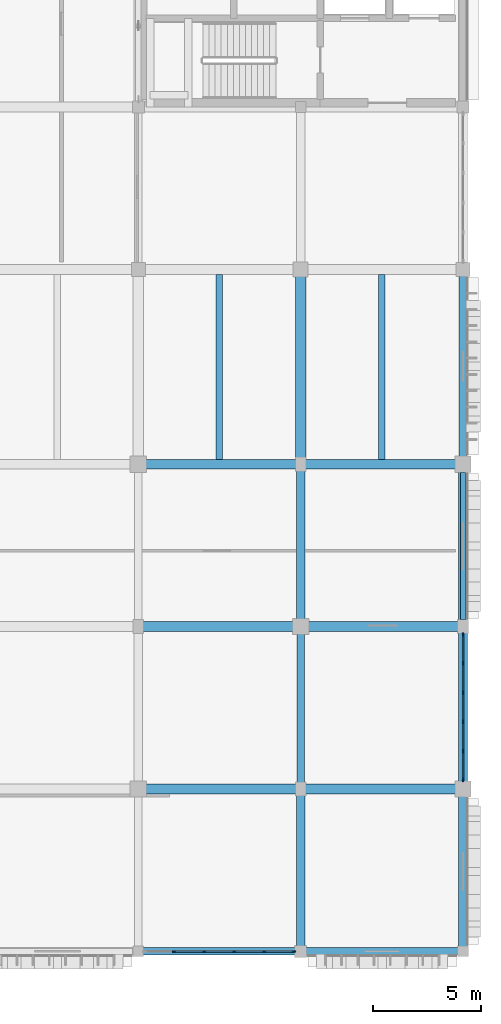
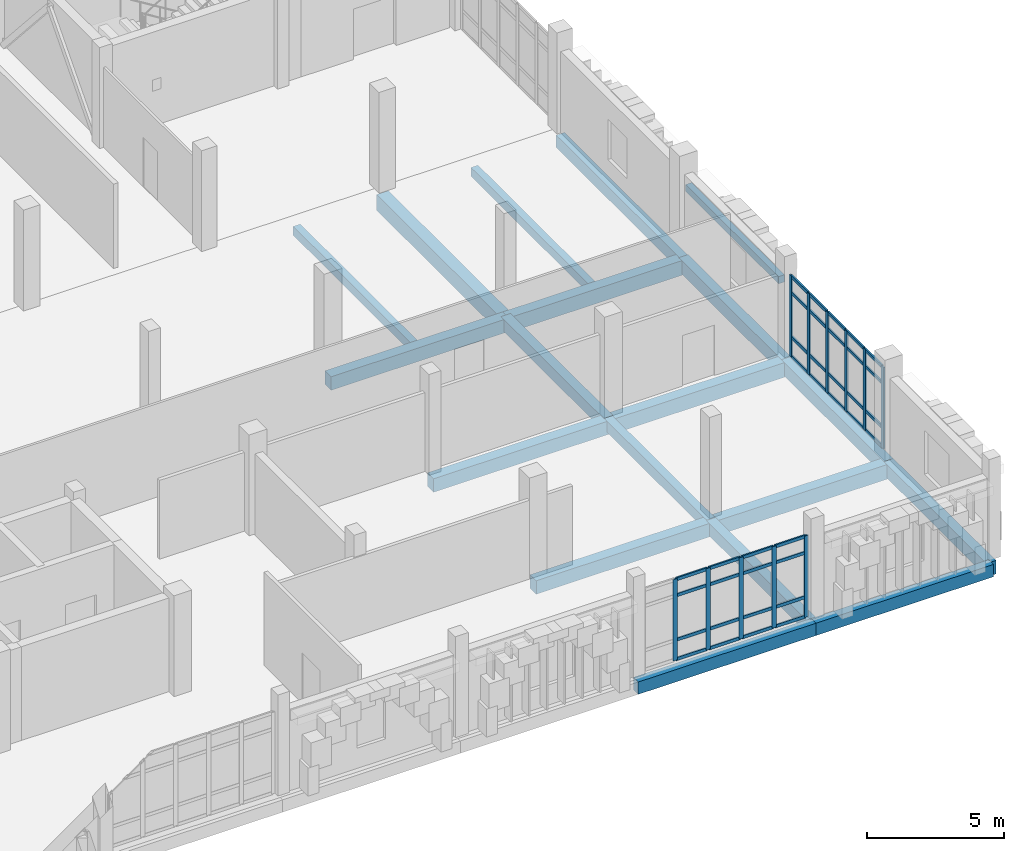
# One storey, part 59 of 128: 47 members, 19 beams, 2 elements without a shape of their own.
"""IFC4 building model written with IfcOpenShell, lengths in metres."""

import ifcopenshell
import ifcopenshell.guid

model = None  # the IFC model being written
_history = None  # IfcOwnerHistory: only IFC2X3 demands one
_inside = {}  # id of a spatial element -> (the spatial element, [elements in it])
_under = {}  # id of a project, library or spatial element -> (it, [spatial elements below it])
_declared = {}  # id of a project -> (the project, [libraries it declares])
_typed = {}  # id of a type object -> (the type object, [elements of that type])
_made_of = {}  # id of a material, layer set ... -> (it, [elements and type objects made of it])


def new_model(schema):
    """Start an empty IFC model of exactly this schema.

    Asked for "IFC4X3", IfcOpenShell would pick the latest addendum, in which some entities
    have other attributes; the version numbers below select the first issue.
    IFC2X3 requires an IfcOwnerHistory on every rooted entity: one is made here for all.
    """
    global model, _history
    if schema == "IFC4X3":
        model = ifcopenshell.file(schema_version=(4, 3, 0, 0))
    else:
        model = ifcopenshell.file(schema=schema)
    _inside.clear()
    _under.clear()
    _declared.clear()
    _typed.clear()
    _made_of.clear()
    _history = None
    if model.schema == "IFC2X3":
        org = make("IfcOrganization", Name="unknown")
        user = make(
            "IfcPersonAndOrganization",
            ThePerson=make("IfcPerson", FamilyName="unknown"),
            TheOrganization=org,
        )
        app = make(
            "IfcApplication",
            ApplicationDeveloper=org,
            Version="unknown",
            ApplicationFullName="unknown",
            ApplicationIdentifier="unknown",
        )
        _history = make(
            "IfcOwnerHistory",
            OwningUser=user,
            OwningApplication=app,
            ChangeAction="ADDED",
            CreationDate=0,
        )
    return model


def make(cls, **values):
    """One entity of the class cls with the attributes given. An attribute that is None is left unset."""
    return model.create_entity(
        cls, **{name: value for name, value in values.items() if value is not None}
    )


def rooted(cls, **values):
    """An entity with a GlobalId (a new one), such as an element, a storey or a relation."""
    return make(cls, GlobalId=ifcopenshell.guid.new(), OwnerHistory=_history, **values)


def si_unit(unit_type, name, prefix=None):
    """IfcSIUnit, for example si_unit("LENGTHUNIT", "METRE", prefix="MILLI")."""
    return make("IfcSIUnit", UnitType=unit_type, Prefix=prefix, Name=name)


def assignment(units):
    """IfcUnitAssignment: the units of a project."""
    return None if units is None else make("IfcUnitAssignment", Units=units)


def point(xyz):
    """IfcCartesianPoint."""
    return None if xyz is None else make("IfcCartesianPoint", Coordinates=xyz)


def direction(xyz):
    """IfcDirection."""
    return None if xyz is None else make("IfcDirection", DirectionRatios=xyz)


def frame(location, z_axis=None, x_axis=None):
    """IfcAxis2Placement3D, a coordinate frame: its origin and axes. An axis left out is left unset."""
    return make(
        "IfcAxis2Placement3D",
        Location=point(location),
        Axis=direction(z_axis),
        RefDirection=direction(x_axis),
    )


def frame_2d(location, x_axis=None):
    """IfcAxis2Placement2D, a coordinate frame in the plane: its origin and x axis."""
    return make(
        "IfcAxis2Placement2D", Location=point(location), RefDirection=direction(x_axis)
    )


def origin():
    """The frame at (0, 0, 0) with its axes left unset."""
    return frame((0.0, 0.0, 0.0))


def origin_2d():
    """The frame at (0, 0) in the plane with its x axis left unset."""
    return frame_2d((0.0, 0.0))


def place(relative_to, where):
    """IfcLocalPlacement: puts the frame where relative to a parent placement (None: the world)."""
    return make(
        "IfcLocalPlacement", PlacementRelTo=relative_to, RelativePlacement=where
    )


def context(
    kind, dimensions, precision=None, world=None, true_north=None, identifier=None
):
    """IfcGeometricRepresentationContext, for example the 3D "Model" context."""
    return make(
        "IfcGeometricRepresentationContext",
        ContextIdentifier=identifier,
        ContextType=kind,
        CoordinateSpaceDimension=dimensions,
        Precision=precision,
        WorldCoordinateSystem=world,
        TrueNorth=true_north,
    )


def subcontext(parent, identifier, kind, view, scale=None):
    """IfcGeometricRepresentationSubContext, for example "Body" below "Model"."""
    return make(
        "IfcGeometricRepresentationSubContext",
        ContextIdentifier=identifier,
        ContextType=kind,
        ParentContext=parent,
        TargetScale=scale,
        TargetView=view,
    )


def project(units=None, contexts=None):
    """IfcProject with its units and contexts."""
    return rooted(
        "IfcProject",
        Name="project",
        RepresentationContexts=contexts,
        UnitsInContext=assignment(units),
    )


def spatial(cls, under=None, at=None, **own):
    """A site, building, storey or space (cls), placed at a placement, below another one or the project."""
    s = rooted(cls, ObjectPlacement=at, **own)
    if under is not None:
        _under.setdefault(under.id(), (under, []))[1].append(s)
    return s


def profile(cls, at=None, kind="AREA", **sizes):
    """A parametric profile (cls). Its sizes go by their IFC names, for example OverallWidth=200.0."""
    return make(cls, ProfileType=kind, Position=at, **sizes)


def rectangle(**sizes):
    """IfcRectangleProfileDef."""
    return profile("IfcRectangleProfileDef", **sizes)


def extrude(swept, where, along, depth):
    """IfcExtrudedAreaSolid: the profile swept, set in the frame where, extruded along a direction by depth."""
    return make(
        "IfcExtrudedAreaSolid",
        SweptArea=swept,
        Position=where,
        ExtrudedDirection=direction(along),
        Depth=depth,
    )


def shape(context_of_items, identifier, shape_type, items):
    """IfcShapeRepresentation: the items that make up one representation, for example the "Body"."""
    return make(
        "IfcShapeRepresentation",
        ContextOfItems=context_of_items,
        RepresentationIdentifier=identifier,
        RepresentationType=shape_type,
        Items=items,
    )


def material(Name=None, Category=None):
    """IfcMaterial."""
    return make("IfcMaterial", Name=Name, Category=Category)


def layer(
    of_material, thickness, ventilated=None, Name=None, Category=None, Priority=None
):
    """IfcMaterialLayer: one layer of a wall or slab, of a material (None: an air gap)."""
    return make(
        "IfcMaterialLayer",
        Material=of_material,
        LayerThickness=thickness,
        IsVentilated=ventilated,
        Name=Name,
        Category=Category,
        Priority=Priority,
    )


def layer_set(layers, Name=None):
    """IfcMaterialLayerSet."""
    return make("IfcMaterialLayerSet", MaterialLayers=layers, LayerSetName=Name)


def material_profile(
    of_material, cross_section, Name=None, Category=None, Priority=None
):
    """IfcMaterialProfile: a cross section and its material."""
    return make(
        "IfcMaterialProfile",
        Name=Name,
        Material=of_material,
        Profile=cross_section,
        Priority=Priority,
        Category=Category,
    )


def profile_set(profiles, Name=None, composite=None):
    """IfcMaterialProfileSet."""
    return make(
        "IfcMaterialProfileSet",
        Name=Name,
        MaterialProfiles=profiles,
        CompositeProfile=composite,
    )


def made_of(thing, what):
    """Note that an element or type object is made of a material, layer set ...; save() writes the relation."""
    if what is not None:
        _made_of.setdefault(what.id(), (what, []))[1].append(thing)
    return thing


def type_object(cls, material=None, **own):
    """A type object (cls), such as IfcWallType, which elements share."""
    return made_of(rooted(cls, **own), material)


def element(
    cls,
    number,
    at=None,
    inside=None,
    cuts=None,
    type_object=None,
    material=None,
    context=None,
    identifier="Body",
    shape_type=None,
    held_by="IfcProductDefinitionShape",
    body=None,
    shapes=None,
    **own,
):
    """One element of the class cls, such as IfcWall. Its Tag is "e" and its number.

    at: its placement. inside: the storey or other place that contains it. cuts: it is an
    opening in that element (IfcRelVoidsElement). A single representation is given by context,
    identifier, shape_type and body (its items); several are given by shapes. held_by: the class
    of the entity that holds the representations. save() writes the other relations.
    """
    e = rooted(cls, Tag="e%d" % number, ObjectPlacement=at, **own)
    if body is not None:
        shapes = [shape(context, identifier, shape_type, body)]
    if shapes is not None:
        e.Representation = make(held_by, Representations=shapes)
    if inside is not None:
        _inside.setdefault(inside.id(), (inside, []))[1].append(e)
    if cuts is not None:
        rooted(
            "IfcRelVoidsElement", RelatingBuildingElement=cuts, RelatedOpeningElement=e
        )
    if type_object is not None:
        _typed.setdefault(type_object.id(), (type_object, []))[1].append(e)
    return made_of(e, material)


def aggregate(whole, parts):
    """IfcRelAggregates: a whole, such as a stair, and the parts it consists of."""
    return rooted("IfcRelAggregates", RelatingObject=whole, RelatedObjects=parts)


def save(model, path):
    """Write the relations noted so far, then the file.

    IfcRelAggregates (storeys below a building ...), IfcRelContainedInSpatialStructure (elements
    in a storey), IfcRelDefinesByType, IfcRelAssociatesMaterial and IfcRelDeclares: one each for
    every whole, place, type object, material and project.
    """
    for whole, parts in _under.values():
        aggregate(whole, parts)
    for where, things in _inside.values():
        rooted(
            "IfcRelContainedInSpatialStructure",
            RelatedElements=things,
            RelatingStructure=where,
        )
    for kind, things in _typed.values():
        rooted("IfcRelDefinesByType", RelatedObjects=things, RelatingType=kind)
    for what, things in _made_of.values():
        rooted("IfcRelAssociatesMaterial", RelatedObjects=things, RelatingMaterial=what)
    for by, libraries in _declared.values():
        rooted("IfcRelDeclares", RelatingContext=by, RelatedDefinitions=libraries)
    model.write(path)


model = new_model("IFC4")

# Units and contexts
model_context = context("Model", 3, precision=1e-05, world=origin(), true_north=direction((0.0, 1.0)))
body_context = subcontext(model_context, "Body", "Model", "MODEL_VIEW")
ifc_project = project(units=[si_unit("LENGTHUNIT", "METRE"), si_unit("AREAUNIT", "SQUARE_METRE"), si_unit("VOLUMEUNIT", "CUBIC_METRE"), si_unit("PLANEANGLEUNIT", "RADIAN"), si_unit("MASSUNIT", "GRAM", prefix="KILO")], contexts=[model_context])

# Site, building, storey
site_placement = place(None, origin())
site = spatial("IfcSite", under=ifc_project, at=site_placement, CompositionType="ELEMENT")
building_placement = place(site_placement, origin())
building = spatial("IfcBuilding", under=site, at=building_placement, Name="Dalvernix Boulevard General Hospital", CompositionType="ELEMENT")
storey_placement = place(building_placement, frame((0.0, 0.0, 4.800048828125)))
storey = spatial("IfcBuildingStorey", under=building, at=storey_placement, Name="L01", CompositionType="ELEMENT", Elevation=4.800048828125)

# Beams
ifc_material_1 = material(Name="Concrete C35/45", Category="concrete")
ifc_material_profile_1 = material_profile(ifc_material_1, rectangle(XDim=0.5, YDim=0.699951171875, at=origin_2d()), Name="RCB 500x700")
ifc_profile_set_1 = profile_set([ifc_material_profile_1], Name="Concrete C35/45")
beam_type_1 = type_object("IfcBeamType", Name="BM-B-01-I", PredefinedType="BEAM", material=ifc_profile_set_1)
beam_1_placement = place(storey_placement, frame((165.0, 22.5, -0.650146484375), z_axis=(0.0, 1.0, 0.0), x_axis=(-1.0, 0.0, 0.0)))
element("IfcBeam", 1, at=beam_1_placement, inside=storey, type_object=beam_type_1, Name="L01 N-S girder 23:D-E", PredefinedType="BEAM", context=body_context, shape_type="SweptSolid", body=[
    extrude(rectangle(XDim=0.5, YDim=0.699951171875, at=origin_2d()), origin(), (0.0, 0.0, 1.0), 9.0),
])
ifc_material_profile_2 = material_profile(ifc_material_1, rectangle(XDim=0.449951171875, YDim=0.64990234375, at=origin_2d()), Name="RCB 450x650")
ifc_profile_set_2 = profile_set([ifc_material_profile_2], Name="Concrete C35/45")
beam_type_2 = type_object("IfcBeamType", Name="BM-B-03-I", PredefinedType="BEAM", material=ifc_profile_set_2)
for number, where, z_axis, x_axis, name in (
    (2, (165.0, 7.5, -0.625), (1.0, 0.0, 0.0), (0.0, 1.0, 0.0), "L01 E-W girder B:23-24"),
    (3, (165.0, 15.0, -0.625), (1.0, 0.0, 0.0), (0.0, 1.0, 0.0), "L01 E-W girder C:23-24"),
    (4, (165.0, 22.5, -0.625), (1.0, 0.0, 0.0), (0.0, 1.0, 0.0), "L01 E-W girder D:23-24"),
):
    element("IfcBeam", number, at=place(storey_placement, frame(where, z_axis=z_axis, x_axis=x_axis)), inside=storey, type_object=beam_type_2, Name=name, PredefinedType="BEAM", context=body_context, shape_type="SweptSolid", body=[
        extrude(rectangle(XDim=0.449951171875, YDim=0.64990234375, at=origin_2d()), origin(), (0.0, 0.0, 1.0), 7.5),
    ])
ifc_material_profile_3 = material_profile(ifc_material_1, rectangle(XDim=0.449951171875, YDim=0.60009765625, at=origin_2d()), Name="RCB 450x600")
ifc_profile_set_3 = profile_set([ifc_material_profile_3], Name="Concrete C35/45")
beam_type_3 = type_object("IfcBeamType", Name="BM-B-04-I", PredefinedType="BEAM", material=ifc_profile_set_3)
for number, where, z_axis, x_axis, name in (
    (5, (157.5, 7.5, -0.60009765625), (1.0, 0.0, 0.0), (0.0, 1.0, 0.0), "L01 E-W girder B:22-23"),
    (6, (157.5, 15.0, -0.60009765625), (1.0, 0.0, 0.0), (0.0, 1.0, 0.0), "L01 E-W girder C:22-23"),
    (7, (157.5, 22.5, -0.60009765625), (1.0, 0.0, 0.0), (0.0, 1.0, 0.0), "L01 E-W girder D:22-23"),
):
    element("IfcBeam", number, at=place(storey_placement, frame(where, z_axis=z_axis, x_axis=x_axis)), inside=storey, type_object=beam_type_3, Name=name, PredefinedType="BEAM", context=body_context, shape_type="SweptSolid", body=[
        extrude(rectangle(XDim=0.449951171875, YDim=0.60009765625, at=origin_2d()), origin(), (0.0, 0.0, 1.0), 7.5),
    ])
ifc_material_profile_4 = material_profile(ifc_material_1, rectangle(XDim=0.39990234375, YDim=0.550048828125, at=origin_2d()), Name="RCB 400x550")
ifc_profile_set_4 = profile_set([ifc_material_profile_4], Name="Concrete C35/45")
beam_type_4 = type_object("IfcBeamType", Name="BM-B-06-I", PredefinedType="BEAM", material=ifc_profile_set_4)
for number, where, z_axis, x_axis, name in (
    (8, (165.0, 0.0, -0.574951171875), (0.0, 1.0, 0.0), (-1.0, 0.0, 0.0), "L01 N-S girder 23:A-B"),
    (9, (165.0, 15.0, -0.574951171875), (0.0, 1.0, 0.0), (-1.0, 0.0, 0.0), "L01 N-S girder 23:C-D"),
):
    element("IfcBeam", number, at=place(storey_placement, frame(where, z_axis=z_axis, x_axis=x_axis)), inside=storey, type_object=beam_type_4, Name=name, PredefinedType="BEAM", context=body_context, shape_type="SweptSolid", body=[
        extrude(rectangle(XDim=0.39990234375, YDim=0.550048828125, at=origin_2d()), origin(), (0.0, 0.0, 1.0), 7.5),
    ])
ifc_material_profile_5 = material_profile(ifc_material_1, rectangle(XDim=0.35009765625, YDim=0.5, at=origin_2d()), Name="RCB 350x500")
ifc_profile_set_5 = profile_set([ifc_material_profile_5], Name="Concrete C35/45")
beam_type_5 = type_object("IfcBeamType", Name="BM-B-08-I", PredefinedType="BEAM", material=ifc_profile_set_5)
beam_2_placement = place(storey_placement, frame((165.0, 7.5, -0.550048828125), z_axis=(0.0, 1.0, 0.0), x_axis=(-1.0, 0.0, 0.0)))
element("IfcBeam", 10, at=beam_2_placement, inside=storey, type_object=beam_type_5, Name="L01 N-S girder 23:B-C", PredefinedType="BEAM", context=body_context, shape_type="SweptSolid", body=[
    extrude(rectangle(XDim=0.35009765625, YDim=0.5, at=origin_2d()), origin(), (0.0, 0.0, 1.0), 7.5),
])
ifc_material_profile_6 = material_profile(ifc_material_1, rectangle(XDim=0.300048828125, YDim=0.39990234375, at=origin_2d()), Name="RCB 300x400")
ifc_profile_set_6 = profile_set([ifc_material_profile_6], Name="Concrete C35/45")
beam_type_6 = type_object("IfcBeamType", Name="BM-JB-01", PredefinedType="JOIST", material=ifc_profile_set_6)
for number, where, z_axis, x_axis, name in (
    (11, (161.25, 22.72509765625, -0.5), (0.0, 1.0, 0.0), (-1.0, 0.0, 0.0), "L01 secondary floor beam 22-D"),
    (12, (168.75, 22.72509765625, -0.5), (0.0, 1.0, 0.0), (-1.0, 0.0, 0.0), "L01 secondary floor beam 23-D"),
):
    element("IfcBeam", number, at=place(storey_placement, frame(where, z_axis=z_axis, x_axis=x_axis)), inside=storey, type_object=beam_type_6, Name=name, PredefinedType="JOIST", context=body_context, shape_type="SweptSolid", body=[
        extrude(rectangle(XDim=0.300048828125, YDim=0.39990234375, at=origin_2d()), origin(), (0.0, 0.0, 1.0), 8.5498046875),
    ])
ifc_material_2 = material(Name="Precast concrete C40/50", Category="concrete")
ifc_material_profile_7 = material_profile(ifc_material_2, rectangle(XDim=0.25, YDim=0.320068359375, at=origin_2d()), Name="RCL 250x320")
ifc_profile_set_7 = profile_set([ifc_material_profile_7], Name="Precast concrete C40/50")
beam_type_7 = type_object("IfcBeamType", Name="BM-LB-01", PredefinedType="LINTEL", material=ifc_profile_set_7)
beam_3_placement = place(storey_placement, frame((172.5, 22.114990234375, 3.010009765625), z_axis=(0.0, -1.0, 0.0), x_axis=(1.0, 0.0, 0.0)))
element("IfcBeam", 13, at=beam_3_placement, inside=storey, type_object=beam_type_7, Name="L01 precast window lintel E 23-2", PredefinedType="LINTEL", context=body_context, shape_type="SweptSolid", body=[
    extrude(rectangle(XDim=0.25, YDim=0.320068359375, at=origin_2d()), origin(), (0.0, 0.0, 1.0), 6.780029296875),
])
ifc_material_profile_8 = material_profile(ifc_material_1, rectangle(XDim=0.35009765625, YDim=0.550048828125, at=origin_2d()), Name="RCB 350x550")
ifc_profile_set_8 = profile_set([ifc_material_profile_8], Name="Concrete C35/45")
beam_type_8 = type_object("IfcBeamType", Name="BM-SB-01-E", PredefinedType="SPANDREL", material=ifc_profile_set_8)
for number, where, z_axis, x_axis, name in (
    (14, (157.5, 0.0, -0.574951171875), (1.0, 0.0, 0.0), (0.0, 1.0, 0.0), "L01 E-W girder A:22-23"),
    (15, (165.0, 0.0, -0.574951171875), (1.0, 0.0, 0.0), (0.0, 1.0, 0.0), "L01 E-W girder A:23-24"),
):
    element("IfcBeam", number, at=place(storey_placement, frame(where, z_axis=z_axis, x_axis=x_axis)), inside=storey, type_object=beam_type_8, Name=name, PredefinedType="SPANDREL", context=body_context, shape_type="SweptSolid", body=[
        extrude(rectangle(XDim=0.35009765625, YDim=0.550048828125, at=origin_2d()), origin(), (0.0, 0.0, 1.0), 7.5),
    ])
beam_4_placement = place(storey_placement, frame((172.5, 22.5, -0.574951171875), z_axis=(0.0, 1.0, 0.0), x_axis=(-1.0, 0.0, 0.0)))
element("IfcBeam", 16, at=beam_4_placement, inside=storey, type_object=beam_type_8, Name="L01 N-S girder 24:D-E", PredefinedType="SPANDREL", context=body_context, shape_type="SweptSolid", body=[
    extrude(rectangle(XDim=0.35009765625, YDim=0.550048828125, at=origin_2d()), origin(), (0.0, 0.0, 1.0), 9.0),
])
ifc_material_profile_9 = material_profile(ifc_material_1, rectangle(XDim=0.39990234375, YDim=0.60009765625, at=origin_2d()), Name="RCB 400x600")
ifc_profile_set_9 = profile_set([ifc_material_profile_9], Name="Concrete C35/45")
beam_type_9 = type_object("IfcBeamType", Name="BM-SB-02-E", PredefinedType="SPANDREL", material=ifc_profile_set_9)
for number, where, z_axis, x_axis, name in (
    (17, (172.5, 0.0, -0.60009765625), (0.0, 1.0, 0.0), (-1.0, 0.0, 0.0), "L01 N-S girder 24:A-B"),
    (18, (172.5, 7.5, -0.60009765625), (0.0, 1.0, 0.0), (-1.0, 0.0, 0.0), "L01 N-S girder 24:B-C"),
    (19, (172.5, 15.0, -0.60009765625), (0.0, 1.0, 0.0), (-1.0, 0.0, 0.0), "L01 N-S girder 24:C-D"),
):
    element("IfcBeam", number, at=place(storey_placement, frame(where, z_axis=z_axis, x_axis=x_axis)), inside=storey, type_object=beam_type_9, Name=name, PredefinedType="SPANDREL", context=body_context, shape_type="SweptSolid", body=[
        extrude(rectangle(XDim=0.39990234375, YDim=0.60009765625, at=origin_2d()), origin(), (0.0, 0.0, 1.0), 7.5),
    ])

# Curtain wall, members
ifc_material_3 = material(Name="Thermally broken aluminium and solar-control glass curtain wall", Category="aluminium")
ifc_layer_1 = layer(ifc_material_3, 0.179931640625)
ifc_layer_set_1 = layer_set([ifc_layer_1], Name="Thermally broken aluminium and solar-control glass curtain wall (CW-CW-B-70x36)")
curtain_wall_type_1 = type_object("IfcCurtainWallType", Name="CW-CW-B-70x36", PredefinedType="USERDEFINED", material=ifc_layer_set_1)
curtain_wall_1_placement = place(storey_placement, origin())
curtain_wall_1 = element("IfcCurtainWall", 20, at=curtain_wall_1_placement, inside=storey, type_object=curtain_wall_type_1, Name="L01 curtain wall CW-B-70x36 21-0", ObjectType="GLAZED FACADE", PredefinedType="USERDEFINED")
ifc_material_4 = material(Name="Aluminium EN AW-6060", Category="aluminium")
ifc_material_profile_10 = material_profile(ifc_material_4, rectangle(XDim=0.06494140625, YDim=0.179931640625, at=origin_2d()), Name="ALU MULL 65x180")
ifc_profile_set_10 = profile_set([ifc_material_profile_10], Name="Aluminium EN AW-6060")
member_type_1 = type_object("IfcMemberType", Name="MEM-CW-M2", PredefinedType="MULLION", material=ifc_profile_set_10)
member_1_placement = place(storey_placement, frame((164.6826171875, 0.0, 0.0), z_axis=(0.0, 0.0, 1.0), x_axis=(0.0, -1.0, 0.0)))
member_1 = element("IfcMember", 21, at=member_1_placement, type_object=member_type_1, Name="CW-B-70x36 mullion 1", PredefinedType="MULLION", context=body_context, shape_type="SweptSolid", body=[
    extrude(rectangle(XDim=0.06494140625, YDim=0.179931640625, at=origin_2d()), origin(), (0.0, 0.0, 1.0), 3.6298828125),
])
member_2_placement = place(storey_placement, frame((163.323974609375, 0.0, 0.0), z_axis=(0.0, 0.0, 1.0), x_axis=(0.0, -1.0, 0.0)))
member_2 = element("IfcMember", 22, at=member_2_placement, type_object=member_type_1, Name="CW-B-70x36 mullion 2", PredefinedType="MULLION", context=body_context, shape_type="SweptSolid", body=[
    extrude(rectangle(XDim=0.06494140625, YDim=0.179931640625, at=origin_2d()), origin(), (0.0, 0.0, 1.0), 3.6298828125),
])
member_3_placement = place(storey_placement, frame((161.93310546875, 0.0, 0.0), z_axis=(0.0, 0.0, 1.0), x_axis=(0.0, -1.0, 0.0)))
member_3 = element("IfcMember", 23, at=member_3_placement, type_object=member_type_1, Name="CW-B-70x36 mullion 3", PredefinedType="MULLION", context=body_context, shape_type="SweptSolid", body=[
    extrude(rectangle(XDim=0.06494140625, YDim=0.179931640625, at=origin_2d()), origin(), (0.0, 0.0, 1.0), 3.6298828125),
])
member_4_placement = place(storey_placement, frame((160.5419921875, 0.0, 0.0), z_axis=(0.0, 0.0, 1.0), x_axis=(0.0, -1.0, 0.0)))
member_4 = element("IfcMember", 24, at=member_4_placement, type_object=member_type_1, Name="CW-B-70x36 mullion 4", PredefinedType="MULLION", context=body_context, shape_type="SweptSolid", body=[
    extrude(rectangle(XDim=0.06494140625, YDim=0.179931640625, at=origin_2d()), origin(), (0.0, 0.0, 1.0), 3.6298828125),
])
member_5_placement = place(storey_placement, frame((159.15087890625, 0.0, 0.0), z_axis=(0.0, 0.0, 1.0), x_axis=(0.0, -1.0, 0.0)))
member_5 = element("IfcMember", 25, at=member_5_placement, type_object=member_type_1, Name="CW-B-70x36 mullion 5", PredefinedType="MULLION", context=body_context, shape_type="SweptSolid", body=[
    extrude(rectangle(XDim=0.06494140625, YDim=0.179931640625, at=origin_2d()), origin(), (0.0, 0.0, 1.0), 3.6298828125),
])

ifc_layer_2 = layer(ifc_material_3, 0.179931640625)
ifc_layer_set_2 = layer_set([ifc_layer_2], Name="Thermally broken aluminium and solar-control glass curtain wall (CW-CW-B-68x36)")
curtain_wall_type_2 = type_object("IfcCurtainWallType", Name="CW-CW-B-68x36", PredefinedType="USERDEFINED", material=ifc_layer_set_2)
curtain_wall_2_placement = place(storey_placement, origin())
curtain_wall_2 = element("IfcCurtainWall", 26, at=curtain_wall_2_placement, inside=storey, type_object=curtain_wall_type_2, Name="L01 curtain wall CW-B-68x36 23-1", ObjectType="GLAZED FACADE", PredefinedType="USERDEFINED")
member_6_placement = place(storey_placement, frame((172.5, 14.632568359375, 0.0), z_axis=(0.0, 0.0, 1.0), x_axis=(1.0, 0.0, 0.0)))
member_6 = element("IfcMember", 27, at=member_6_placement, type_object=member_type_1, Name="CW-B-68x36 mullion 1", PredefinedType="MULLION", context=body_context, shape_type="SweptSolid", body=[
    extrude(rectangle(XDim=0.06494140625, YDim=0.179931640625, at=origin_2d()), origin(), (0.0, 0.0, 1.0), 3.6298828125),
])
member_7_placement = place(storey_placement, frame((172.5, 13.30908203125, 0.0), z_axis=(0.0, 0.0, 1.0), x_axis=(1.0, 0.0, 0.0)))
member_7 = element("IfcMember", 28, at=member_7_placement, type_object=member_type_1, Name="CW-B-68x36 mullion 2", PredefinedType="MULLION", context=body_context, shape_type="SweptSolid", body=[
    extrude(rectangle(XDim=0.06494140625, YDim=0.179931640625, at=origin_2d()), origin(), (0.0, 0.0, 1.0), 3.6298828125),
])
member_8_placement = place(storey_placement, frame((172.5, 11.952880859375, 0.0), z_axis=(0.0, 0.0, 1.0), x_axis=(1.0, 0.0, 0.0)))
member_8 = element("IfcMember", 29, at=member_8_placement, type_object=member_type_1, Name="CW-B-68x36 mullion 3", PredefinedType="MULLION", context=body_context, shape_type="SweptSolid", body=[
    extrude(rectangle(XDim=0.06494140625, YDim=0.179931640625, at=origin_2d()), origin(), (0.0, 0.0, 1.0), 3.6298828125),
])
member_9_placement = place(storey_placement, frame((172.5, 10.596923828125, 0.0), z_axis=(0.0, 0.0, 1.0), x_axis=(1.0, 0.0, 0.0)))
member_9 = element("IfcMember", 30, at=member_9_placement, type_object=member_type_1, Name="CW-B-68x36 mullion 4", PredefinedType="MULLION", context=body_context, shape_type="SweptSolid", body=[
    extrude(rectangle(XDim=0.06494140625, YDim=0.179931640625, at=origin_2d()), origin(), (0.0, 0.0, 1.0), 3.6298828125),
])
member_10_placement = place(storey_placement, frame((172.5, 9.240966796875, 0.0), z_axis=(0.0, 0.0, 1.0), x_axis=(1.0, 0.0, 0.0)))
member_10 = element("IfcMember", 31, at=member_10_placement, type_object=member_type_1, Name="CW-B-68x36 mullion 5", PredefinedType="MULLION", context=body_context, shape_type="SweptSolid", body=[
    extrude(rectangle(XDim=0.06494140625, YDim=0.179931640625, at=origin_2d()), origin(), (0.0, 0.0, 1.0), 3.6298828125),
])
member_11_placement = place(storey_placement, frame((172.5, 7.91748046875, 0.0), z_axis=(0.0, 0.0, 1.0), x_axis=(1.0, 0.0, 0.0)))
member_11 = element("IfcMember", 32, at=member_11_placement, type_object=member_type_1, Name="CW-B-68x36 mullion 6", PredefinedType="MULLION", context=body_context, shape_type="SweptSolid", body=[
    extrude(rectangle(XDim=0.06494140625, YDim=0.179931640625, at=origin_2d()), origin(), (0.0, 0.0, 1.0), 3.6298828125),
])

# Member
ifc_material_profile_11 = material_profile(ifc_material_4, rectangle(XDim=0.06494140625, YDim=0.139892578125, at=origin_2d()), Name="ALU TRAN 65x140")
ifc_profile_set_11 = profile_set([ifc_material_profile_11], Name="Aluminium EN AW-6060")
member_type_2 = type_object("IfcMemberType", Name="MEM-CW-T2", PredefinedType="USERDEFINED", material=ifc_profile_set_11)
member_12_placement = place(storey_placement, frame((164.64990234375, 0.0, 0.032470703125), z_axis=(-1.0, 0.0, 0.0), x_axis=(0.0, -1.0, 0.0)))
member_12 = element("IfcMember", 33, at=member_12_placement, type_object=member_type_2, Name="CW-B-70x36 transom 1.1", ObjectType="TRANSOM", PredefinedType="USERDEFINED", context=body_context, shape_type="SweptSolid", body=[
    extrude(rectangle(XDim=0.06494140625, YDim=0.139892578125, at=origin_2d()), origin(), (0.0, 0.0, 1.0), 1.29345703125),
])

member_13_placement = place(storey_placement, frame((164.64990234375, 0.0, 0.89990234375), z_axis=(-1.0, 0.0, 0.0), x_axis=(0.0, -1.0, 0.0)))
member_13 = element("IfcMember", 34, at=member_13_placement, type_object=member_type_2, Name="CW-B-70x36 transom 1.2", ObjectType="TRANSOM", PredefinedType="USERDEFINED", context=body_context, shape_type="SweptSolid", body=[
    extrude(rectangle(XDim=0.06494140625, YDim=0.139892578125, at=origin_2d()), origin(), (0.0, 0.0, 1.0), 1.29345703125),
])

member_14_placement = place(storey_placement, frame((164.64990234375, 0.0, 2.8798828125), z_axis=(-1.0, 0.0, 0.0), x_axis=(0.0, -1.0, 0.0)))
member_14 = element("IfcMember", 35, at=member_14_placement, type_object=member_type_2, Name="CW-B-70x36 transom 1.3", ObjectType="TRANSOM", PredefinedType="USERDEFINED", context=body_context, shape_type="SweptSolid", body=[
    extrude(rectangle(XDim=0.06494140625, YDim=0.139892578125, at=origin_2d()), origin(), (0.0, 0.0, 1.0), 1.29345703125),
])

member_15_placement = place(storey_placement, frame((164.64990234375, 0.0, 3.597412109375), z_axis=(-1.0, 0.0, 0.0), x_axis=(0.0, -1.0, 0.0)))
member_15 = element("IfcMember", 36, at=member_15_placement, type_object=member_type_2, Name="CW-B-70x36 transom 1.4", ObjectType="TRANSOM", PredefinedType="USERDEFINED", context=body_context, shape_type="SweptSolid", body=[
    extrude(rectangle(XDim=0.06494140625, YDim=0.139892578125, at=origin_2d()), origin(), (0.0, 0.0, 1.0), 1.29345703125),
])

member_16_placement = place(storey_placement, frame((163.29150390625, 0.0, 0.032470703125), z_axis=(-1.0, 0.0, 0.0), x_axis=(0.0, -1.0, 0.0)))
member_16 = element("IfcMember", 37, at=member_16_placement, type_object=member_type_2, Name="CW-B-70x36 transom 2.1", ObjectType="TRANSOM", PredefinedType="USERDEFINED", context=body_context, shape_type="SweptSolid", body=[
    extrude(rectangle(XDim=0.06494140625, YDim=0.139892578125, at=origin_2d()), origin(), (0.0, 0.0, 1.0), 1.325927734375),
])

member_17_placement = place(storey_placement, frame((163.29150390625, 0.0, 0.89990234375), z_axis=(-1.0, 0.0, 0.0), x_axis=(0.0, -1.0, 0.0)))
member_17 = element("IfcMember", 38, at=member_17_placement, type_object=member_type_2, Name="CW-B-70x36 transom 2.2", ObjectType="TRANSOM", PredefinedType="USERDEFINED", context=body_context, shape_type="SweptSolid", body=[
    extrude(rectangle(XDim=0.06494140625, YDim=0.139892578125, at=origin_2d()), origin(), (0.0, 0.0, 1.0), 1.325927734375),
])

member_18_placement = place(storey_placement, frame((163.29150390625, 0.0, 2.8798828125), z_axis=(-1.0, 0.0, 0.0), x_axis=(0.0, -1.0, 0.0)))
member_18 = element("IfcMember", 39, at=member_18_placement, type_object=member_type_2, Name="CW-B-70x36 transom 2.3", ObjectType="TRANSOM", PredefinedType="USERDEFINED", context=body_context, shape_type="SweptSolid", body=[
    extrude(rectangle(XDim=0.06494140625, YDim=0.139892578125, at=origin_2d()), origin(), (0.0, 0.0, 1.0), 1.325927734375),
])

member_19_placement = place(storey_placement, frame((163.29150390625, 0.0, 3.597412109375), z_axis=(-1.0, 0.0, 0.0), x_axis=(0.0, -1.0, 0.0)))
member_19 = element("IfcMember", 40, at=member_19_placement, type_object=member_type_2, Name="CW-B-70x36 transom 2.4", ObjectType="TRANSOM", PredefinedType="USERDEFINED", context=body_context, shape_type="SweptSolid", body=[
    extrude(rectangle(XDim=0.06494140625, YDim=0.139892578125, at=origin_2d()), origin(), (0.0, 0.0, 1.0), 1.325927734375),
])

member_20_placement = place(storey_placement, frame((161.900390625, 0.0, 0.032470703125), z_axis=(-1.0, 0.0, 0.0), x_axis=(0.0, -1.0, 0.0)))
member_20 = element("IfcMember", 41, at=member_20_placement, type_object=member_type_2, Name="CW-B-70x36 transom 3.1", ObjectType="TRANSOM", PredefinedType="USERDEFINED", context=body_context, shape_type="SweptSolid", body=[
    extrude(rectangle(XDim=0.06494140625, YDim=0.139892578125, at=origin_2d()), origin(), (0.0, 0.0, 1.0), 1.325927734375),
])

member_21_placement = place(storey_placement, frame((161.900390625, 0.0, 0.89990234375), z_axis=(-1.0, 0.0, 0.0), x_axis=(0.0, -1.0, 0.0)))
member_21 = element("IfcMember", 42, at=member_21_placement, type_object=member_type_2, Name="CW-B-70x36 transom 3.2", ObjectType="TRANSOM", PredefinedType="USERDEFINED", context=body_context, shape_type="SweptSolid", body=[
    extrude(rectangle(XDim=0.06494140625, YDim=0.139892578125, at=origin_2d()), origin(), (0.0, 0.0, 1.0), 1.325927734375),
])

member_22_placement = place(storey_placement, frame((161.900390625, 0.0, 2.8798828125), z_axis=(-1.0, 0.0, 0.0), x_axis=(0.0, -1.0, 0.0)))
member_22 = element("IfcMember", 43, at=member_22_placement, type_object=member_type_2, Name="CW-B-70x36 transom 3.3", ObjectType="TRANSOM", PredefinedType="USERDEFINED", context=body_context, shape_type="SweptSolid", body=[
    extrude(rectangle(XDim=0.06494140625, YDim=0.139892578125, at=origin_2d()), origin(), (0.0, 0.0, 1.0), 1.325927734375),
])

member_23_placement = place(storey_placement, frame((161.900390625, 0.0, 3.597412109375), z_axis=(-1.0, 0.0, 0.0), x_axis=(0.0, -1.0, 0.0)))
member_23 = element("IfcMember", 44, at=member_23_placement, type_object=member_type_2, Name="CW-B-70x36 transom 3.4", ObjectType="TRANSOM", PredefinedType="USERDEFINED", context=body_context, shape_type="SweptSolid", body=[
    extrude(rectangle(XDim=0.06494140625, YDim=0.139892578125, at=origin_2d()), origin(), (0.0, 0.0, 1.0), 1.325927734375),
])

member_24_placement = place(storey_placement, frame((160.509521484375, 0.0, 0.032470703125), z_axis=(-1.0, 0.0, 0.0), x_axis=(0.0, -1.0, 0.0)))
member_24 = element("IfcMember", 45, at=member_24_placement, type_object=member_type_2, Name="CW-B-70x36 transom 4.1", ObjectType="TRANSOM", PredefinedType="USERDEFINED", context=body_context, shape_type="SweptSolid", body=[
    extrude(rectangle(XDim=0.06494140625, YDim=0.139892578125, at=origin_2d()), origin(), (0.0, 0.0, 1.0), 1.325927734375),
])

member_25_placement = place(storey_placement, frame((160.509521484375, 0.0, 0.89990234375), z_axis=(-1.0, 0.0, 0.0), x_axis=(0.0, -1.0, 0.0)))
member_25 = element("IfcMember", 46, at=member_25_placement, type_object=member_type_2, Name="CW-B-70x36 transom 4.2", ObjectType="TRANSOM", PredefinedType="USERDEFINED", context=body_context, shape_type="SweptSolid", body=[
    extrude(rectangle(XDim=0.06494140625, YDim=0.139892578125, at=origin_2d()), origin(), (0.0, 0.0, 1.0), 1.325927734375),
])

member_26_placement = place(storey_placement, frame((160.509521484375, 0.0, 2.8798828125), z_axis=(-1.0, 0.0, 0.0), x_axis=(0.0, -1.0, 0.0)))
member_26 = element("IfcMember", 47, at=member_26_placement, type_object=member_type_2, Name="CW-B-70x36 transom 4.3", ObjectType="TRANSOM", PredefinedType="USERDEFINED", context=body_context, shape_type="SweptSolid", body=[
    extrude(rectangle(XDim=0.06494140625, YDim=0.139892578125, at=origin_2d()), origin(), (0.0, 0.0, 1.0), 1.325927734375),
])

member_27_placement = place(storey_placement, frame((160.509521484375, 0.0, 3.597412109375), z_axis=(-1.0, 0.0, 0.0), x_axis=(0.0, -1.0, 0.0)))
member_27 = element("IfcMember", 48, at=member_27_placement, type_object=member_type_2, Name="CW-B-70x36 transom 4.4", ObjectType="TRANSOM", PredefinedType="USERDEFINED", context=body_context, shape_type="SweptSolid", body=[
    extrude(rectangle(XDim=0.06494140625, YDim=0.139892578125, at=origin_2d()), origin(), (0.0, 0.0, 1.0), 1.325927734375),
])

aggregate(curtain_wall_1, [member_1, member_2, member_3, member_4, member_5, member_12, member_13, member_14, member_15, member_16, member_17, member_18, member_19, member_20, member_21, member_22, member_23, member_24, member_25, member_26, member_27])

member_28_placement = place(storey_placement, frame((172.5, 14.60009765625, 0.032470703125), z_axis=(0.0, -1.0, 0.0), x_axis=(1.0, 0.0, 0.0)))
member_28 = element("IfcMember", 49, at=member_28_placement, type_object=member_type_2, Name="CW-B-68x36 transom 1.1", ObjectType="TRANSOM", PredefinedType="USERDEFINED", context=body_context, shape_type="SweptSolid", body=[
    extrude(rectangle(XDim=0.06494140625, YDim=0.139892578125, at=origin_2d()), origin(), (0.0, 0.0, 1.0), 1.258544921875),
])

member_29_placement = place(storey_placement, frame((172.5, 14.60009765625, 0.89990234375), z_axis=(0.0, -1.0, 0.0), x_axis=(1.0, 0.0, 0.0)))
member_29 = element("IfcMember", 50, at=member_29_placement, type_object=member_type_2, Name="CW-B-68x36 transom 1.2", ObjectType="TRANSOM", PredefinedType="USERDEFINED", context=body_context, shape_type="SweptSolid", body=[
    extrude(rectangle(XDim=0.06494140625, YDim=0.139892578125, at=origin_2d()), origin(), (0.0, 0.0, 1.0), 1.258544921875),
])

member_30_placement = place(storey_placement, frame((172.5, 14.60009765625, 2.8798828125), z_axis=(0.0, -1.0, 0.0), x_axis=(1.0, 0.0, 0.0)))
member_30 = element("IfcMember", 51, at=member_30_placement, type_object=member_type_2, Name="CW-B-68x36 transom 1.3", ObjectType="TRANSOM", PredefinedType="USERDEFINED", context=body_context, shape_type="SweptSolid", body=[
    extrude(rectangle(XDim=0.06494140625, YDim=0.139892578125, at=origin_2d()), origin(), (0.0, 0.0, 1.0), 1.258544921875),
])

member_31_placement = place(storey_placement, frame((172.5, 14.60009765625, 3.597412109375), z_axis=(0.0, -1.0, 0.0), x_axis=(1.0, 0.0, 0.0)))
member_31 = element("IfcMember", 52, at=member_31_placement, type_object=member_type_2, Name="CW-B-68x36 transom 1.4", ObjectType="TRANSOM", PredefinedType="USERDEFINED", context=body_context, shape_type="SweptSolid", body=[
    extrude(rectangle(XDim=0.06494140625, YDim=0.139892578125, at=origin_2d()), origin(), (0.0, 0.0, 1.0), 1.258544921875),
])

member_32_placement = place(storey_placement, frame((172.5, 13.276611328125, 0.032470703125), z_axis=(0.0, -1.0, 0.0), x_axis=(1.0, 0.0, 0.0)))
member_32 = element("IfcMember", 53, at=member_32_placement, type_object=member_type_2, Name="CW-B-68x36 transom 2.1", ObjectType="TRANSOM", PredefinedType="USERDEFINED", context=body_context, shape_type="SweptSolid", body=[
    extrude(rectangle(XDim=0.06494140625, YDim=0.139892578125, at=origin_2d()), origin(), (0.0, 0.0, 1.0), 1.291015625),
])

member_33_placement = place(storey_placement, frame((172.5, 13.276611328125, 0.89990234375), z_axis=(0.0, -1.0, 0.0), x_axis=(1.0, 0.0, 0.0)))
member_33 = element("IfcMember", 54, at=member_33_placement, type_object=member_type_2, Name="CW-B-68x36 transom 2.2", ObjectType="TRANSOM", PredefinedType="USERDEFINED", context=body_context, shape_type="SweptSolid", body=[
    extrude(rectangle(XDim=0.06494140625, YDim=0.139892578125, at=origin_2d()), origin(), (0.0, 0.0, 1.0), 1.291015625),
])

member_34_placement = place(storey_placement, frame((172.5, 13.276611328125, 2.8798828125), z_axis=(0.0, -1.0, 0.0), x_axis=(1.0, 0.0, 0.0)))
member_34 = element("IfcMember", 55, at=member_34_placement, type_object=member_type_2, Name="CW-B-68x36 transom 2.3", ObjectType="TRANSOM", PredefinedType="USERDEFINED", context=body_context, shape_type="SweptSolid", body=[
    extrude(rectangle(XDim=0.06494140625, YDim=0.139892578125, at=origin_2d()), origin(), (0.0, 0.0, 1.0), 1.291015625),
])

member_35_placement = place(storey_placement, frame((172.5, 13.276611328125, 3.597412109375), z_axis=(0.0, -1.0, 0.0), x_axis=(1.0, 0.0, 0.0)))
member_35 = element("IfcMember", 56, at=member_35_placement, type_object=member_type_2, Name="CW-B-68x36 transom 2.4", ObjectType="TRANSOM", PredefinedType="USERDEFINED", context=body_context, shape_type="SweptSolid", body=[
    extrude(rectangle(XDim=0.06494140625, YDim=0.139892578125, at=origin_2d()), origin(), (0.0, 0.0, 1.0), 1.291015625),
])

member_36_placement = place(storey_placement, frame((172.5, 11.92041015625, 0.032470703125), z_axis=(0.0, -1.0, 0.0), x_axis=(1.0, 0.0, 0.0)))
member_36 = element("IfcMember", 57, at=member_36_placement, type_object=member_type_2, Name="CW-B-68x36 transom 3.1", ObjectType="TRANSOM", PredefinedType="USERDEFINED", context=body_context, shape_type="SweptSolid", body=[
    extrude(rectangle(XDim=0.06494140625, YDim=0.139892578125, at=origin_2d()), origin(), (0.0, 0.0, 1.0), 1.291015625),
])

member_37_placement = place(storey_placement, frame((172.5, 11.92041015625, 0.89990234375), z_axis=(0.0, -1.0, 0.0), x_axis=(1.0, 0.0, 0.0)))
member_37 = element("IfcMember", 58, at=member_37_placement, type_object=member_type_2, Name="CW-B-68x36 transom 3.2", ObjectType="TRANSOM", PredefinedType="USERDEFINED", context=body_context, shape_type="SweptSolid", body=[
    extrude(rectangle(XDim=0.06494140625, YDim=0.139892578125, at=origin_2d()), origin(), (0.0, 0.0, 1.0), 1.291015625),
])

member_38_placement = place(storey_placement, frame((172.5, 11.92041015625, 2.8798828125), z_axis=(0.0, -1.0, 0.0), x_axis=(1.0, 0.0, 0.0)))
member_38 = element("IfcMember", 59, at=member_38_placement, type_object=member_type_2, Name="CW-B-68x36 transom 3.3", ObjectType="TRANSOM", PredefinedType="USERDEFINED", context=body_context, shape_type="SweptSolid", body=[
    extrude(rectangle(XDim=0.06494140625, YDim=0.139892578125, at=origin_2d()), origin(), (0.0, 0.0, 1.0), 1.291015625),
])

member_39_placement = place(storey_placement, frame((172.5, 11.92041015625, 3.597412109375), z_axis=(0.0, -1.0, 0.0), x_axis=(1.0, 0.0, 0.0)))
member_39 = element("IfcMember", 60, at=member_39_placement, type_object=member_type_2, Name="CW-B-68x36 transom 3.4", ObjectType="TRANSOM", PredefinedType="USERDEFINED", context=body_context, shape_type="SweptSolid", body=[
    extrude(rectangle(XDim=0.06494140625, YDim=0.139892578125, at=origin_2d()), origin(), (0.0, 0.0, 1.0), 1.291015625),
])

member_40_placement = place(storey_placement, frame((172.5, 10.564453125, 0.032470703125), z_axis=(0.0, -1.0, 0.0), x_axis=(1.0, 0.0, 0.0)))
member_40 = element("IfcMember", 61, at=member_40_placement, type_object=member_type_2, Name="CW-B-68x36 transom 4.1", ObjectType="TRANSOM", PredefinedType="USERDEFINED", context=body_context, shape_type="SweptSolid", body=[
    extrude(rectangle(XDim=0.06494140625, YDim=0.139892578125, at=origin_2d()), origin(), (0.0, 0.0, 1.0), 1.291015625),
])

member_41_placement = place(storey_placement, frame((172.5, 10.564453125, 0.89990234375), z_axis=(0.0, -1.0, 0.0), x_axis=(1.0, 0.0, 0.0)))
member_41 = element("IfcMember", 62, at=member_41_placement, type_object=member_type_2, Name="CW-B-68x36 transom 4.2", ObjectType="TRANSOM", PredefinedType="USERDEFINED", context=body_context, shape_type="SweptSolid", body=[
    extrude(rectangle(XDim=0.06494140625, YDim=0.139892578125, at=origin_2d()), origin(), (0.0, 0.0, 1.0), 1.291015625),
])

member_42_placement = place(storey_placement, frame((172.5, 10.564453125, 2.8798828125), z_axis=(0.0, -1.0, 0.0), x_axis=(1.0, 0.0, 0.0)))
member_42 = element("IfcMember", 63, at=member_42_placement, type_object=member_type_2, Name="CW-B-68x36 transom 4.3", ObjectType="TRANSOM", PredefinedType="USERDEFINED", context=body_context, shape_type="SweptSolid", body=[
    extrude(rectangle(XDim=0.06494140625, YDim=0.139892578125, at=origin_2d()), origin(), (0.0, 0.0, 1.0), 1.291015625),
])

member_43_placement = place(storey_placement, frame((172.5, 10.564453125, 3.597412109375), z_axis=(0.0, -1.0, 0.0), x_axis=(1.0, 0.0, 0.0)))
member_43 = element("IfcMember", 64, at=member_43_placement, type_object=member_type_2, Name="CW-B-68x36 transom 4.4", ObjectType="TRANSOM", PredefinedType="USERDEFINED", context=body_context, shape_type="SweptSolid", body=[
    extrude(rectangle(XDim=0.06494140625, YDim=0.139892578125, at=origin_2d()), origin(), (0.0, 0.0, 1.0), 1.291015625),
])

member_44_placement = place(storey_placement, frame((172.5, 9.20849609375, 0.032470703125), z_axis=(0.0, -1.0, 0.0), x_axis=(1.0, 0.0, 0.0)))
member_44 = element("IfcMember", 65, at=member_44_placement, type_object=member_type_2, Name="CW-B-68x36 transom 5.1", ObjectType="TRANSOM", PredefinedType="USERDEFINED", context=body_context, shape_type="SweptSolid", body=[
    extrude(rectangle(XDim=0.06494140625, YDim=0.139892578125, at=origin_2d()), origin(), (0.0, 0.0, 1.0), 1.258544921875),
])

member_45_placement = place(storey_placement, frame((172.5, 9.20849609375, 0.89990234375), z_axis=(0.0, -1.0, 0.0), x_axis=(1.0, 0.0, 0.0)))
member_45 = element("IfcMember", 66, at=member_45_placement, type_object=member_type_2, Name="CW-B-68x36 transom 5.2", ObjectType="TRANSOM", PredefinedType="USERDEFINED", context=body_context, shape_type="SweptSolid", body=[
    extrude(rectangle(XDim=0.06494140625, YDim=0.139892578125, at=origin_2d()), origin(), (0.0, 0.0, 1.0), 1.258544921875),
])

member_46_placement = place(storey_placement, frame((172.5, 9.20849609375, 2.8798828125), z_axis=(0.0, -1.0, 0.0), x_axis=(1.0, 0.0, 0.0)))
member_46 = element("IfcMember", 67, at=member_46_placement, type_object=member_type_2, Name="CW-B-68x36 transom 5.3", ObjectType="TRANSOM", PredefinedType="USERDEFINED", context=body_context, shape_type="SweptSolid", body=[
    extrude(rectangle(XDim=0.06494140625, YDim=0.139892578125, at=origin_2d()), origin(), (0.0, 0.0, 1.0), 1.258544921875),
])

member_47_placement = place(storey_placement, frame((172.5, 9.20849609375, 3.597412109375), z_axis=(0.0, -1.0, 0.0), x_axis=(1.0, 0.0, 0.0)))
member_47 = element("IfcMember", 68, at=member_47_placement, type_object=member_type_2, Name="CW-B-68x36 transom 5.4", ObjectType="TRANSOM", PredefinedType="USERDEFINED", context=body_context, shape_type="SweptSolid", body=[
    extrude(rectangle(XDim=0.06494140625, YDim=0.139892578125, at=origin_2d()), origin(), (0.0, 0.0, 1.0), 1.258544921875),
])

aggregate(curtain_wall_2, [member_6, member_7, member_8, member_9, member_10, member_11, member_28, member_29, member_30, member_31, member_32, member_33, member_34, member_35, member_36, member_37, member_38, member_39, member_40, member_41, member_42, member_43, member_44, member_45, member_46, member_47])

save(model, "model.ifc")
